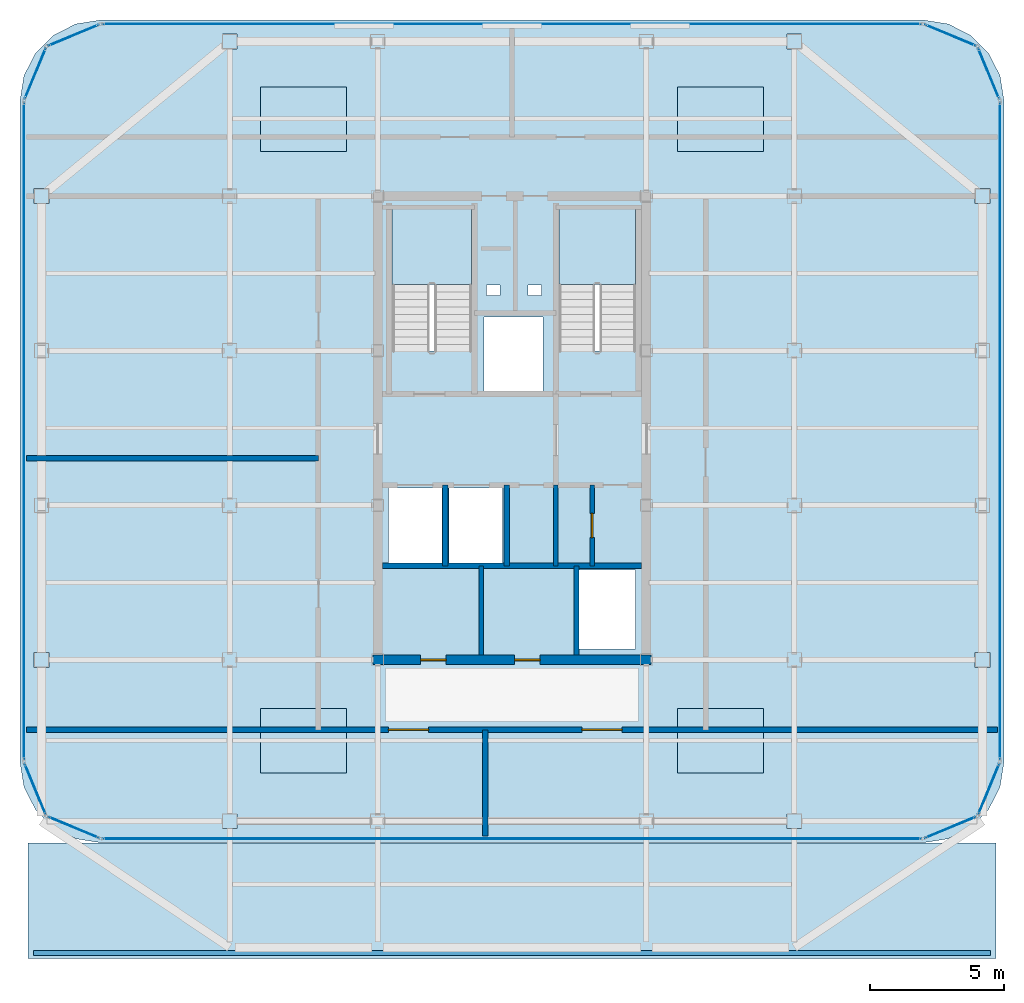
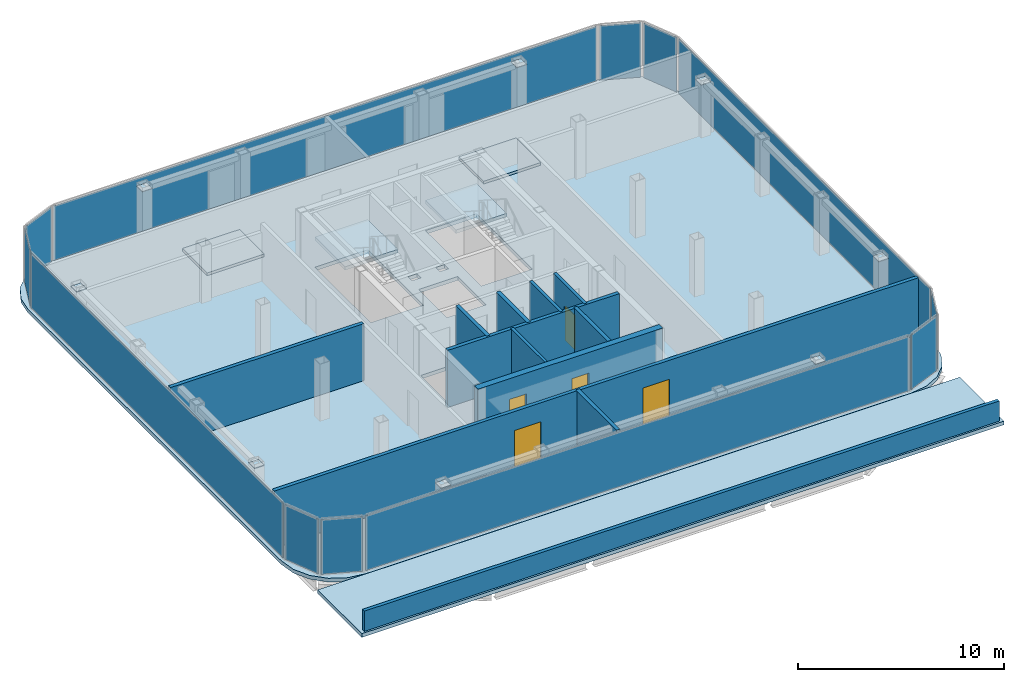
# One storey, part 12 of 15: 20 plates, 12 walls, 8 slabs, 5 doors, 5 openings, 14 elements without a shape of their own.
"""IFC4 building model written with IfcOpenShell, lengths in metres."""

import ifcopenshell
import ifcopenshell.guid

model = None  # the IFC model being written
_history = None  # IfcOwnerHistory: only IFC2X3 demands one
_inside = {}  # id of a spatial element -> (the spatial element, [elements in it])
_under = {}  # id of a project, library or spatial element -> (it, [spatial elements below it])
_declared = {}  # id of a project -> (the project, [libraries it declares])
_typed = {}  # id of a type object -> (the type object, [elements of that type])
_made_of = {}  # id of a material, layer set ... -> (it, [elements and type objects made of it])


def new_model(schema):
    """Start an empty IFC model of exactly this schema.

    Asked for "IFC4X3", IfcOpenShell would pick the latest addendum, in which some entities
    have other attributes; the version numbers below select the first issue.
    IFC2X3 requires an IfcOwnerHistory on every rooted entity: one is made here for all.
    """
    global model, _history
    if schema == "IFC4X3":
        model = ifcopenshell.file(schema_version=(4, 3, 0, 0))
    else:
        model = ifcopenshell.file(schema=schema)
    _inside.clear()
    _under.clear()
    _declared.clear()
    _typed.clear()
    _made_of.clear()
    _history = None
    if model.schema == "IFC2X3":
        org = make("IfcOrganization", Name="unknown")
        user = make(
            "IfcPersonAndOrganization",
            ThePerson=make("IfcPerson", FamilyName="unknown"),
            TheOrganization=org,
        )
        app = make(
            "IfcApplication",
            ApplicationDeveloper=org,
            Version="unknown",
            ApplicationFullName="unknown",
            ApplicationIdentifier="unknown",
        )
        _history = make(
            "IfcOwnerHistory",
            OwningUser=user,
            OwningApplication=app,
            ChangeAction="ADDED",
            CreationDate=0,
        )
    return model


def make(cls, **values):
    """One entity of the class cls with the attributes given. An attribute that is None is left unset."""
    return model.create_entity(
        cls, **{name: value for name, value in values.items() if value is not None}
    )


def rooted(cls, **values):
    """An entity with a GlobalId (a new one), such as an element, a storey or a relation."""
    return make(cls, GlobalId=ifcopenshell.guid.new(), OwnerHistory=_history, **values)


def si_unit(unit_type, name, prefix=None):
    """IfcSIUnit, for example si_unit("LENGTHUNIT", "METRE", prefix="MILLI")."""
    return make("IfcSIUnit", UnitType=unit_type, Prefix=prefix, Name=name)


def assignment(units):
    """IfcUnitAssignment: the units of a project."""
    return None if units is None else make("IfcUnitAssignment", Units=units)


def point(xyz):
    """IfcCartesianPoint."""
    return None if xyz is None else make("IfcCartesianPoint", Coordinates=xyz)


def direction(xyz):
    """IfcDirection."""
    return None if xyz is None else make("IfcDirection", DirectionRatios=xyz)


def frame(location, z_axis=None, x_axis=None):
    """IfcAxis2Placement3D, a coordinate frame: its origin and axes. An axis left out is left unset."""
    return make(
        "IfcAxis2Placement3D",
        Location=point(location),
        Axis=direction(z_axis),
        RefDirection=direction(x_axis),
    )


def frame_2d(location, x_axis=None):
    """IfcAxis2Placement2D, a coordinate frame in the plane: its origin and x axis."""
    return make(
        "IfcAxis2Placement2D", Location=point(location), RefDirection=direction(x_axis)
    )


def origin():
    """The frame at (0, 0, 0) with its axes left unset."""
    return frame((0.0, 0.0, 0.0))


def origin_2d():
    """The frame at (0, 0) in the plane with its x axis left unset."""
    return frame_2d((0.0, 0.0))


def place(relative_to, where):
    """IfcLocalPlacement: puts the frame where relative to a parent placement (None: the world)."""
    return make(
        "IfcLocalPlacement", PlacementRelTo=relative_to, RelativePlacement=where
    )


def context(
    kind, dimensions, precision=None, world=None, true_north=None, identifier=None
):
    """IfcGeometricRepresentationContext, for example the 3D "Model" context."""
    return make(
        "IfcGeometricRepresentationContext",
        ContextIdentifier=identifier,
        ContextType=kind,
        CoordinateSpaceDimension=dimensions,
        Precision=precision,
        WorldCoordinateSystem=world,
        TrueNorth=true_north,
    )


def subcontext(parent, identifier, kind, view, scale=None):
    """IfcGeometricRepresentationSubContext, for example "Body" below "Model"."""
    return make(
        "IfcGeometricRepresentationSubContext",
        ContextIdentifier=identifier,
        ContextType=kind,
        ParentContext=parent,
        TargetScale=scale,
        TargetView=view,
    )


def project(units=None, contexts=None):
    """IfcProject with its units and contexts."""
    return rooted(
        "IfcProject",
        Name="project",
        RepresentationContexts=contexts,
        UnitsInContext=assignment(units),
    )


def spatial(cls, under=None, at=None, **own):
    """A site, building, storey or space (cls), placed at a placement, below another one or the project."""
    s = rooted(cls, ObjectPlacement=at, **own)
    if under is not None:
        _under.setdefault(under.id(), (under, []))[1].append(s)
    return s


def polyline(points):
    """IfcPolyline through the points."""
    return make("IfcPolyline", Points=[point(p) for p in points])


def profile(cls, at=None, kind="AREA", **sizes):
    """A parametric profile (cls). Its sizes go by their IFC names, for example OverallWidth=200.0."""
    return make(cls, ProfileType=kind, Position=at, **sizes)


def rectangle(**sizes):
    """IfcRectangleProfileDef."""
    return profile("IfcRectangleProfileDef", **sizes)


def outline(outer, holes=None, kind="AREA"):
    """IfcArbitraryClosedProfileDef: a profile drawn as a closed curve; with holes, ...WithVoids."""
    if holes is None:
        return make("IfcArbitraryClosedProfileDef", ProfileType=kind, OuterCurve=outer)
    return make(
        "IfcArbitraryProfileDefWithVoids",
        ProfileType=kind,
        OuterCurve=outer,
        InnerCurves=holes,
    )


def extrude(swept, where, along, depth):
    """IfcExtrudedAreaSolid: the profile swept, set in the frame where, extruded along a direction by depth."""
    return make(
        "IfcExtrudedAreaSolid",
        SweptArea=swept,
        Position=where,
        ExtrudedDirection=direction(along),
        Depth=depth,
    )


def shape(context_of_items, identifier, shape_type, items):
    """IfcShapeRepresentation: the items that make up one representation, for example the "Body"."""
    return make(
        "IfcShapeRepresentation",
        ContextOfItems=context_of_items,
        RepresentationIdentifier=identifier,
        RepresentationType=shape_type,
        Items=items,
    )


def source(mapping_origin, context_of_items, identifier, shape_type, items):
    """IfcRepresentationMap: a shape defined once, which mapped items show again and again."""
    return make(
        "IfcRepresentationMap",
        MappingOrigin=mapping_origin,
        MappedRepresentation=shape(context_of_items, identifier, shape_type, items),
    )


def transform(
    local_origin,
    x_axis=None,
    y_axis=None,
    z_axis=None,
    scale=None,
    scale2=None,
    scale3=None,
    uniform=True,
):
    """IfcCartesianTransformationOperator3D, or its non-uniform kind. x_axis, y_axis, z_axis: its Axis1, 2, 3."""
    if uniform:
        return make(
            "IfcCartesianTransformationOperator3D",
            Axis1=direction(x_axis),
            Axis2=direction(y_axis),
            LocalOrigin=point(local_origin),
            Scale=scale,
            Axis3=direction(z_axis),
        )
    return make(
        "IfcCartesianTransformationOperator3DnonUniform",
        Axis1=direction(x_axis),
        Axis2=direction(y_axis),
        LocalOrigin=point(local_origin),
        Scale=scale,
        Axis3=direction(z_axis),
        Scale2=scale2,
        Scale3=scale3,
    )


def mapped(mapping_source, mapping_target):
    """IfcMappedItem: shows the shape of a source again, moved by a transform."""
    return make(
        "IfcMappedItem", MappingSource=mapping_source, MappingTarget=mapping_target
    )


def material(Name=None, Category=None):
    """IfcMaterial."""
    return make("IfcMaterial", Name=Name, Category=Category)


def layer(
    of_material, thickness, ventilated=None, Name=None, Category=None, Priority=None
):
    """IfcMaterialLayer: one layer of a wall or slab, of a material (None: an air gap)."""
    return make(
        "IfcMaterialLayer",
        Material=of_material,
        LayerThickness=thickness,
        IsVentilated=ventilated,
        Name=Name,
        Category=Category,
        Priority=Priority,
    )


def layer_set(layers, Name=None):
    """IfcMaterialLayerSet."""
    return make("IfcMaterialLayerSet", MaterialLayers=layers, LayerSetName=Name)


def made_of(thing, what):
    """Note that an element or type object is made of a material, layer set ...; save() writes the relation."""
    if what is not None:
        _made_of.setdefault(what.id(), (what, []))[1].append(thing)
    return thing


def type_object(cls, material=None, **own):
    """A type object (cls), such as IfcWallType, which elements share."""
    return made_of(rooted(cls, **own), material)


def element(
    cls,
    number,
    at=None,
    inside=None,
    cuts=None,
    type_object=None,
    material=None,
    context=None,
    identifier="Body",
    shape_type=None,
    held_by="IfcProductDefinitionShape",
    body=None,
    shapes=None,
    **own,
):
    """One element of the class cls, such as IfcWall. Its Tag is "e" and its number.

    at: its placement. inside: the storey or other place that contains it. cuts: it is an
    opening in that element (IfcRelVoidsElement). A single representation is given by context,
    identifier, shape_type and body (its items); several are given by shapes. held_by: the class
    of the entity that holds the representations. save() writes the other relations.
    """
    e = rooted(cls, Tag="e%d" % number, ObjectPlacement=at, **own)
    if body is not None:
        shapes = [shape(context, identifier, shape_type, body)]
    if shapes is not None:
        e.Representation = make(held_by, Representations=shapes)
    if inside is not None:
        _inside.setdefault(inside.id(), (inside, []))[1].append(e)
    if cuts is not None:
        rooted(
            "IfcRelVoidsElement", RelatingBuildingElement=cuts, RelatedOpeningElement=e
        )
    if type_object is not None:
        _typed.setdefault(type_object.id(), (type_object, []))[1].append(e)
    return made_of(e, material)


def fill(opening, filler):
    """IfcRelFillsElement: the door or window that sits in an opening."""
    return rooted(
        "IfcRelFillsElement",
        RelatingOpeningElement=opening,
        RelatedBuildingElement=filler,
    )


def aggregate(whole, parts):
    """IfcRelAggregates: a whole, such as a stair, and the parts it consists of."""
    return rooted("IfcRelAggregates", RelatingObject=whole, RelatedObjects=parts)


def save(model, path):
    """Write the relations noted so far, then the file.

    IfcRelAggregates (storeys below a building ...), IfcRelContainedInSpatialStructure (elements
    in a storey), IfcRelDefinesByType, IfcRelAssociatesMaterial and IfcRelDeclares: one each for
    every whole, place, type object, material and project.
    """
    for whole, parts in _under.values():
        aggregate(whole, parts)
    for where, things in _inside.values():
        rooted(
            "IfcRelContainedInSpatialStructure",
            RelatedElements=things,
            RelatingStructure=where,
        )
    for kind, things in _typed.values():
        rooted("IfcRelDefinesByType", RelatedObjects=things, RelatingType=kind)
    for what, things in _made_of.values():
        rooted("IfcRelAssociatesMaterial", RelatedObjects=things, RelatingMaterial=what)
    for by, libraries in _declared.values():
        rooted("IfcRelDeclares", RelatingContext=by, RelatedDefinitions=libraries)
    model.write(path)


model = new_model("IFC4")

# Units and contexts
model_context = context("Model", 3, precision=1e-05, world=origin(), true_north=direction((0.0, 1.0)))
body_context = subcontext(model_context, "Body", "Model", "MODEL_VIEW")
ifc_project = project(units=[si_unit("LENGTHUNIT", "METRE"), si_unit("AREAUNIT", "SQUARE_METRE"), si_unit("VOLUMEUNIT", "CUBIC_METRE"), si_unit("PLANEANGLEUNIT", "RADIAN"), si_unit("MASSUNIT", "GRAM", prefix="KILO")], contexts=[model_context])

# Site, building, storey
site_placement = place(None, origin())
site = spatial("IfcSite", under=ifc_project, at=site_placement, CompositionType="ELEMENT")
building_placement = place(site_placement, origin())
building = spatial("IfcBuilding", under=site, at=building_placement, Name="Kolveth Station Tower", CompositionType="ELEMENT")
storey_placement = place(building_placement, frame((0.0, 0.0, 271.300048828125)))
storey = spatial("IfcBuildingStorey", under=building, at=storey_placement, Name="L78", CompositionType="ELEMENT", Elevation=271.300048828125)

# Slab
ifc_material_1 = material(Name="Concrete C40/50", Category="concrete")
ifc_layer_1 = layer(ifc_material_1, 0.219970703125)
ifc_layer_set_1 = layer_set([ifc_layer_1], Name="Concrete C40/50")
slab_type_1 = type_object("IfcSlabType", Name="Slab_SF-220", PredefinedType="FLOOR", material=ifc_layer_set_1)
slab_1_placement = place(storey_placement, frame((0.0, 0.0, -0.219970703125)))
element("IfcSlab", 1, at=slab_1_placement, inside=storey, type_object=slab_type_1, Name="L78 Tower Structural Floor Slab", PredefinedType="FLOOR", context=body_context, shape_type="SweptSolid", body=[
    extrude(outline(polyline([(38.800048828125, 4.699951171875), (39.72705078125, 4.8466796875), (40.5634765625, 5.27294921875), (41.22705078125, 5.9365234375), (41.6533203125, 6.77294921875), (41.800048828125, 7.699951171875), (41.800048828125, 32.300048828125), (41.6533203125, 33.22705078125), (41.22705078125, 34.0634765625), (40.5634765625, 34.72705078125), (39.72705078125, 35.1533203125), (38.800048828125, 35.300048828125), (8.199951171875, 35.300048828125), (7.27294921875, 35.1533203125), (6.4365234375, 34.72705078125), (5.77294921875, 34.0634765625), (5.3466796875, 33.22705078125), (5.199951171875, 32.300048828125), (5.199951171875, 7.699951171875), (5.3466796875, 6.77294921875), (5.77294921875, 5.9365234375), (6.4365234375, 5.27294921875), (7.27294921875, 4.8466796875), (8.199951171875, 4.699951171875), (38.800048828125, 4.699951171875)]), holes=[polyline([(19.0400390625, 22.985107421875), (22.0, 22.985107421875), (22.0, 28.39990234375), (19.0400390625, 28.39990234375), (19.0400390625, 22.985107421875)]), polyline([(25.239990234375, 22.985107421875), (28.10009765625, 22.985107421875), (28.10009765625, 28.39990234375), (25.239990234375, 28.39990234375), (25.239990234375, 22.985107421875)]), polyline([(18.89990234375, 15.10009765625), (20.89990234375, 15.10009765625), (20.89990234375, 17.89990234375), (18.89990234375, 17.89990234375), (18.89990234375, 15.10009765625)]), polyline([(21.14990234375, 15.10009765625), (23.14990234375, 15.10009765625), (23.14990234375, 17.89990234375), (21.14990234375, 17.89990234375), (21.14990234375, 15.10009765625)]), polyline([(22.449951171875, 21.5), (24.64990234375, 21.5), (24.64990234375, 24.25), (22.449951171875, 24.25), (22.449951171875, 21.5)]), polyline([(26.0, 11.89990234375), (28.10009765625, 11.89990234375), (28.10009765625, 14.85009765625), (26.0, 14.85009765625), (26.0, 11.89990234375)]), polyline([(22.550048828125, 25.050048828125), (23.050048828125, 25.050048828125), (23.050048828125, 25.449951171875), (22.550048828125, 25.449951171875), (22.550048828125, 25.050048828125)]), polyline([(24.10009765625, 25.050048828125), (24.60009765625, 25.050048828125), (24.60009765625, 25.449951171875), (24.10009765625, 25.449951171875), (24.10009765625, 25.050048828125)])]), origin(), (0.0, 0.0, 1.0), 0.219970703125),
])

# Stair, slab
stair_type_1 = type_object("IfcStairType", Name="Stair_ST2", PredefinedType="HALF_TURN_STAIR", material=ifc_material_1)
stair_1_placement = place(storey_placement, origin())
stair_1 = element("IfcStair", 2, at=stair_1_placement, inside=storey, type_object=stair_type_1, Name="L78 Tower Exit Stair ST2", PredefinedType="HALF_TURN_STAIR")
ifc_layer_2 = layer(ifc_material_1, 0.18994140625)
ifc_layer_set_2 = layer_set([ifc_layer_2], Name="Concrete C40/50")
slab_type_2 = type_object("IfcSlabType", Name="Slab_SL-190", PredefinedType="LANDING", material=ifc_layer_set_2)
slab_2_placement = place(storey_placement, frame((0.0, 0.0, 1.599853515625)))
slab_2 = element("IfcSlab", 3, at=slab_2_placement, type_object=slab_type_2, Name="ST2 landing 1", PredefinedType="LANDING", context=body_context, shape_type="SweptSolid", body=[
    extrude(outline(polyline([(28.10009765625, 25.469970703125), (28.10009765625, 28.39990234375), (25.239990234375, 28.39990234375), (25.239990234375, 25.469970703125), (28.10009765625, 25.469970703125)])), origin(), (0.0, 0.0, 1.0), 0.2001953125),
])
aggregate(stair_1, [slab_2])

stair_type_2 = type_object("IfcStairType", Name="Stair_ST1", PredefinedType="HALF_TURN_STAIR", material=ifc_material_1)
stair_2_placement = place(storey_placement, origin())
stair_2 = element("IfcStair", 4, at=stair_2_placement, inside=storey, type_object=stair_type_2, Name="L78 Tower Exit Stair ST1", PredefinedType="HALF_TURN_STAIR")
ifc_layer_3 = layer(ifc_material_1, 0.205078125)
ifc_layer_set_3 = layer_set([ifc_layer_3], Name="Concrete C40/50")
slab_type_3 = type_object("IfcSlabType", Name="Slab_SL-205", PredefinedType="LANDING", material=ifc_layer_set_3)
slab_3_placement = place(storey_placement, frame((0.0, 0.0, 1.599853515625)))
slab_3 = element("IfcSlab", 5, at=slab_3_placement, type_object=slab_type_3, Name="ST1 landing 1", PredefinedType="LANDING", context=body_context, shape_type="SweptSolid", body=[
    extrude(outline(polyline([(22.0, 25.469970703125), (22.0, 28.39990234375), (19.0400390625, 28.39990234375), (19.0400390625, 25.469970703125), (22.0, 25.469970703125)])), origin(), (0.0, 0.0, 1.0), 0.2001953125),
])
aggregate(stair_2, [slab_3])

# Slab
ifc_layer_4 = layer(ifc_material_1, 0.219970703125)
ifc_layer_set_4 = layer_set([ifc_layer_4], Name="Concrete C40/50")
slab_type_4 = type_object("IfcSlabType", Name="Slab_SR-220", PredefinedType="ROOF", material=ifc_layer_set_4)
slab_4_placement = place(storey_placement, frame((0.0, 0.0, -0.219970703125)))
element("IfcSlab", 6, at=slab_4_placement, inside=storey, type_object=slab_type_4, Name="L78 Crown Step 1 Flat Roof Slab", PredefinedType="ROOF", context=body_context, shape_type="SweptSolid", body=[
    extrude(outline(polyline([(5.5, 0.39990234375), (41.5, 0.39990234375), (41.5, 4.68994140625), (5.5, 4.68994140625), (5.5, 0.39990234375)])), origin(), (0.0, 0.0, 1.0), 0.219970703125),
])

# Plates
ifc_material_2 = material(Name="Steel S355", Category="steel")
ifc_layer_5 = layer(ifc_material_2, 0.028076171875)
ifc_layer_set_5 = layer_set([ifc_layer_5], Name="Steel S355")
plate_type_1 = type_object("IfcPlateType", Name="Plate_CP1", PredefinedType="USERDEFINED", material=ifc_layer_set_5)
shared_shape_1 = source(origin(), body_context, "Body", "SweptSolid", [
    extrude(rectangle(XDim=0.550048828125, YDim=0.550048828125, at=origin_2d()), origin(), (0.0, 0.0, 1.0), 0.028076171875),
])
for number, where, z_axis, x_axis, name in (
    (7, (13.0, 5.5, 3.1357421875), (0.0, 0.0, 1.0), (1.0, 0.0, 0.0), "L78 Crown Chord End Plate 1"),
    (8, (34.0, 5.5, 3.1357421875), (0.0, 0.0, 1.0), (1.0, 0.0, 0.0), "L78 Crown Chord End Plate 2"),
    (9, (13.0, 34.5, 3.1357421875), (0.0, 0.0, 1.0), (1.0, 0.0, 0.0), "L78 Crown Chord End Plate 3"),
    (10, (34.0, 34.5, 3.1357421875), (0.0, 0.0, 1.0), (1.0, 0.0, 0.0), "L78 Crown Chord End Plate 4"),
    (11, (6.0, 11.5, 3.1357421875), (0.0, 0.0, 1.0), (1.0, 0.0, 0.0), "L78 Crown Chord End Plate 5"),
    (12, (6.0, 28.75, 3.1357421875), (0.0, 0.0, 1.0), (1.0, 0.0, 0.0), "L78 Crown Chord End Plate 6"),
    (13, (41.0, 11.5, 3.1357421875), (0.0, 0.0, 1.0), (1.0, 0.0, 0.0), "L78 Crown Chord End Plate 7"),
    (14, (41.0, 28.75, 3.1357421875), (0.0, 0.0, 1.0), (1.0, 0.0, 0.0), "L78 Crown Chord End Plate 8"),
):
    element("IfcPlate", number, at=place(storey_placement, frame(where, z_axis=z_axis, x_axis=x_axis)), inside=storey, type_object=plate_type_1, Name=name, ObjectType="GUSSET_PLATE", PredefinedType="USERDEFINED", context=body_context, shape_type="MappedRepresentation", body=[
        mapped(shared_shape_1, transform((0.0, 0.0, 0.0), x_axis=(1.0, 0.0, 0.0), y_axis=(0.0, 1.0, 0.0), z_axis=(0.0, 0.0, 1.0), scale=1.0)),
    ])

# Slabs
ifc_layer_6 = layer(ifc_material_1, 0.159912109375)
ifc_layer_set_6 = layer_set([ifc_layer_6], Name="Concrete C40/50")
slab_type_5 = type_object("IfcSlabType", Name="Slab_PL-160", PredefinedType="FLOOR", material=ifc_layer_set_6)
shared_shape_2 = source(origin(), body_context, "Body", "SweptSolid", [
    extrude(rectangle(XDim=3.199951171875, YDim=2.39990234375, at=origin_2d()), origin(), (0.0, 0.0, 1.0), 0.159912109375),
])
for number, where, z_axis, x_axis, name in (
    (15, (15.75, 8.5, 0.0), (0.0, 0.0, 1.0), (1.0, 0.0, 0.0), "L78 High-Altitude Plant Plinth 1"),
    (16, (31.25, 8.5, 0.0), (0.0, 0.0, 1.0), (1.0, 0.0, 0.0), "L78 High-Altitude Plant Plinth 2"),
    (17, (15.75, 31.60009765625, 0.0), (0.0, 0.0, 1.0), (1.0, 0.0, 0.0), "L78 High-Altitude Plant Plinth 3"),
    (18, (31.25, 31.60009765625, 0.0), (0.0, 0.0, 1.0), (1.0, 0.0, 0.0), "L78 High-Altitude Plant Plinth 4"),
):
    element("IfcSlab", number, at=place(storey_placement, frame(where, z_axis=z_axis, x_axis=x_axis)), inside=storey, type_object=slab_type_5, Name=name, PredefinedType="FLOOR", context=body_context, shape_type="MappedRepresentation", body=[
        mapped(shared_shape_2, transform((0.0, 0.0, 0.0), x_axis=(1.0, 0.0, 0.0), y_axis=(0.0, 1.0, 0.0), z_axis=(0.0, 0.0, 1.0), scale=1.0)),
    ])

# Curtain wall, plate
ifc_material_3 = material(Name="Black anodized aluminium 6063-T6 and dark crown glass", Category="aluminium")
ifc_layer_7 = layer(ifc_material_3, 0.169921875)
ifc_layer_set_7 = layer_set([ifc_layer_7], Name="Black anodized aluminium 6063-T6 and dark crown glass")
curtain_wall_type = type_object("IfcCurtainWallType", Name="CurtainWall_CW-CR", PredefinedType="NOTDEFINED", material=ifc_layer_set_7)
curtain_wall_1_placement = place(storey_placement, origin())
curtain_wall_1 = element("IfcCurtainWall", 19, at=curtain_wall_1_placement, inside=storey, type_object=curtain_wall_type, Name="L78 Stepped Crown Curtain Wall 1", PredefinedType="NOTDEFINED")
ifc_material_4 = material(Name="Architectural low-E dark glass", Category="glass")
ifc_layer_8 = layer(ifc_material_4, 0.033935546875)
ifc_layer_set_8 = layer_set([ifc_layer_8], Name="Architectural low-E dark glass")
plate_type_2 = type_object("IfcPlateType", Name="Panel_GL-CR", PredefinedType="CURTAIN_PANEL", material=ifc_layer_set_8)
shared_shape_3 = source(origin(), body_context, "Body", "SweptSolid", [
    extrude(rectangle(XDim=2.025390625, YDim=0.033935546875, at=origin_2d()), origin(), (0.0, 0.0, 1.0), 3.23388671875),
])
plate_1_placement = place(storey_placement, frame((39.8076171875, 5.267333984375, 0.072998046875), z_axis=(0.0, 0.0, 1.0), x_axis=(0.923890001426, 0.382658157192, 0.0)))
plate_1 = element("IfcPlate", 20, at=plate_1_placement, type_object=plate_type_2, Name="CW-CR panel 1.1", PredefinedType="CURTAIN_PANEL", context=body_context, shape_type="MappedRepresentation", body=[
    mapped(shared_shape_3, transform((0.0, 0.0, 0.0), x_axis=(1.0, 0.0, 0.0), y_axis=(0.0, 1.0, 0.0), z_axis=(0.0, 0.0, 1.0), scale=1.0)),
])
aggregate(curtain_wall_1, [plate_1])

curtain_wall_2_placement = place(storey_placement, origin())
curtain_wall_2 = element("IfcCurtainWall", 21, at=curtain_wall_2_placement, inside=storey, type_object=curtain_wall_type, Name="L78 Stepped Crown Curtain Wall 2", PredefinedType="NOTDEFINED")
plate_2_placement = place(storey_placement, frame((41.232666015625, 6.6923828125, 0.072998046875), z_axis=(0.0, 0.0, 1.0), x_axis=(0.382658157192, 0.923890001426, 0.0)))
plate_2 = element("IfcPlate", 22, at=plate_2_placement, type_object=plate_type_2, Name="CW-CR panel 1.1", PredefinedType="CURTAIN_PANEL", context=body_context, shape_type="MappedRepresentation", body=[
    mapped(shared_shape_3, transform((0.0, 0.0, 0.0), x_axis=(1.0, 0.0, 0.0), y_axis=(0.0, 1.0, 0.0), z_axis=(0.0, 0.0, 1.0), scale=1.0)),
])
aggregate(curtain_wall_2, [plate_2])

curtain_wall_3_placement = place(storey_placement, origin())
curtain_wall_3 = element("IfcCurtainWall", 23, at=curtain_wall_3_placement, inside=storey, type_object=curtain_wall_type, Name="L78 Stepped Crown Curtain Wall 4", PredefinedType="NOTDEFINED")
plate_3_placement = place(storey_placement, frame((41.232666015625, 33.3076171875, 0.072998046875), z_axis=(0.0, 0.0, 1.0), x_axis=(-0.382658157192, 0.923890001426, 0.0)))
plate_3 = element("IfcPlate", 24, at=plate_3_placement, type_object=plate_type_2, Name="CW-CR panel 1.1", PredefinedType="CURTAIN_PANEL", context=body_context, shape_type="MappedRepresentation", body=[
    mapped(shared_shape_3, transform((0.0, 0.0, 0.0), x_axis=(1.0, 0.0, 0.0), y_axis=(0.0, 1.0, 0.0), z_axis=(0.0, 0.0, 1.0), scale=1.0)),
])
aggregate(curtain_wall_3, [plate_3])

curtain_wall_4_placement = place(storey_placement, origin())
curtain_wall_4 = element("IfcCurtainWall", 25, at=curtain_wall_4_placement, inside=storey, type_object=curtain_wall_type, Name="L78 Stepped Crown Curtain Wall 5", PredefinedType="NOTDEFINED")
plate_4_placement = place(storey_placement, frame((39.8076171875, 34.732666015625, 0.072998046875), z_axis=(0.0, 0.0, 1.0), x_axis=(-0.923890001426, 0.382658157192, 0.0)))
plate_4 = element("IfcPlate", 26, at=plate_4_placement, type_object=plate_type_2, Name="CW-CR panel 1.1", PredefinedType="CURTAIN_PANEL", context=body_context, shape_type="MappedRepresentation", body=[
    mapped(shared_shape_3, transform((0.0, 0.0, 0.0), x_axis=(1.0, 0.0, 0.0), y_axis=(0.0, 1.0, 0.0), z_axis=(0.0, 0.0, 1.0), scale=1.0)),
])
aggregate(curtain_wall_4, [plate_4])

curtain_wall_5_placement = place(storey_placement, origin())
curtain_wall_5 = element("IfcCurtainWall", 27, at=curtain_wall_5_placement, inside=storey, type_object=curtain_wall_type, Name="L78 Stepped Crown Curtain Wall 7", PredefinedType="NOTDEFINED")
plate_5_placement = place(storey_placement, frame((7.1923828125, 34.732666015625, 0.072998046875), z_axis=(0.0, 0.0, 1.0), x_axis=(-0.923890001426, -0.382658157192, 0.0)))
plate_5 = element("IfcPlate", 28, at=plate_5_placement, type_object=plate_type_2, Name="CW-CR panel 1.1", PredefinedType="CURTAIN_PANEL", context=body_context, shape_type="MappedRepresentation", body=[
    mapped(shared_shape_3, transform((0.0, 0.0, 0.0), x_axis=(1.0, 0.0, 0.0), y_axis=(0.0, 1.0, 0.0), z_axis=(0.0, 0.0, 1.0), scale=1.0)),
])
aggregate(curtain_wall_5, [plate_5])

curtain_wall_6_placement = place(storey_placement, origin())
curtain_wall_6 = element("IfcCurtainWall", 29, at=curtain_wall_6_placement, inside=storey, type_object=curtain_wall_type, Name="L78 Stepped Crown Curtain Wall 8", PredefinedType="NOTDEFINED")
plate_6_placement = place(storey_placement, frame((5.767333984375, 33.3076171875, 0.072998046875), z_axis=(0.0, 0.0, 1.0), x_axis=(-0.382658157192, -0.923890001426, 0.0)))
plate_6 = element("IfcPlate", 30, at=plate_6_placement, type_object=plate_type_2, Name="CW-CR panel 1.1", PredefinedType="CURTAIN_PANEL", context=body_context, shape_type="MappedRepresentation", body=[
    mapped(shared_shape_3, transform((0.0, 0.0, 0.0), x_axis=(1.0, 0.0, 0.0), y_axis=(0.0, 1.0, 0.0), z_axis=(0.0, 0.0, 1.0), scale=1.0)),
])
aggregate(curtain_wall_6, [plate_6])

curtain_wall_7_placement = place(storey_placement, origin())
curtain_wall_7 = element("IfcCurtainWall", 31, at=curtain_wall_7_placement, inside=storey, type_object=curtain_wall_type, Name="L78 Stepped Crown Curtain Wall 10", PredefinedType="NOTDEFINED")
plate_7_placement = place(storey_placement, frame((5.767333984375, 6.6923828125, 0.072998046875), z_axis=(0.0, 0.0, 1.0), x_axis=(0.382658157192, -0.923890001426, 0.0)))
plate_7 = element("IfcPlate", 32, at=plate_7_placement, type_object=plate_type_2, Name="CW-CR panel 1.1", PredefinedType="CURTAIN_PANEL", context=body_context, shape_type="MappedRepresentation", body=[
    mapped(shared_shape_3, transform((0.0, 0.0, 0.0), x_axis=(1.0, 0.0, 0.0), y_axis=(0.0, 1.0, 0.0), z_axis=(0.0, 0.0, 1.0), scale=1.0)),
])
aggregate(curtain_wall_7, [plate_7])

curtain_wall_8_placement = place(storey_placement, origin())
curtain_wall_8 = element("IfcCurtainWall", 33, at=curtain_wall_8_placement, inside=storey, type_object=curtain_wall_type, Name="L78 Stepped Crown Curtain Wall 11", PredefinedType="NOTDEFINED")
plate_8_placement = place(storey_placement, frame((7.1923828125, 5.267333984375, 0.072998046875), z_axis=(0.0, 0.0, 1.0), x_axis=(0.923890001426, -0.382658157192, 0.0)))
plate_8 = element("IfcPlate", 34, at=plate_8_placement, type_object=plate_type_2, Name="CW-CR panel 1.1", PredefinedType="CURTAIN_PANEL", context=body_context, shape_type="MappedRepresentation", body=[
    mapped(shared_shape_3, transform((0.0, 0.0, 0.0), x_axis=(1.0, 0.0, 0.0), y_axis=(0.0, 1.0, 0.0), z_axis=(0.0, 0.0, 1.0), scale=1.0)),
])
aggregate(curtain_wall_8, [plate_8])

curtain_wall_9_placement = place(storey_placement, origin())
curtain_wall_9 = element("IfcCurtainWall", 35, at=curtain_wall_9_placement, inside=storey, type_object=curtain_wall_type, Name="L78 Stepped Crown Curtain Wall 3", PredefinedType="NOTDEFINED")
shared_shape_4 = source(origin(), body_context, "Body", "SweptSolid", [
    extrude(rectangle(XDim=24.444091796875, YDim=0.033935546875, at=origin_2d()), origin(), (0.0, 0.0, 1.0), 3.23388671875),
])
plate_9_placement = place(storey_placement, frame((41.64990234375, 20.0, 0.072998046875), z_axis=(0.0, 0.0, 1.0), x_axis=(0.0, 1.0, 0.0)))
plate_9 = element("IfcPlate", 36, at=plate_9_placement, type_object=plate_type_2, Name="CW-CR panel 1.1", PredefinedType="CURTAIN_PANEL", context=body_context, shape_type="MappedRepresentation", body=[
    mapped(shared_shape_4, transform((0.0, 0.0, 0.0), x_axis=(1.0, 0.0, 0.0), y_axis=(0.0, 1.0, 0.0), z_axis=(0.0, 0.0, 1.0), scale=1.0)),
])
aggregate(curtain_wall_9, [plate_9])

curtain_wall_10_placement = place(storey_placement, origin())
curtain_wall_10 = element("IfcCurtainWall", 37, at=curtain_wall_10_placement, inside=storey, type_object=curtain_wall_type, Name="L78 Stepped Crown Curtain Wall 9", PredefinedType="NOTDEFINED")
plate_10_placement = place(storey_placement, frame((5.35009765625, 20.0, 0.072998046875), z_axis=(0.0, 0.0, 1.0), x_axis=(0.0, -1.0, 0.0)))
plate_10 = element("IfcPlate", 38, at=plate_10_placement, type_object=plate_type_2, Name="CW-CR panel 1.1", PredefinedType="CURTAIN_PANEL", context=body_context, shape_type="MappedRepresentation", body=[
    mapped(shared_shape_4, transform((0.0, 0.0, 0.0), x_axis=(1.0, 0.0, 0.0), y_axis=(0.0, 1.0, 0.0), z_axis=(0.0, 0.0, 1.0), scale=1.0)),
])
aggregate(curtain_wall_10, [plate_10])

curtain_wall_11_placement = place(storey_placement, origin())
curtain_wall_11 = element("IfcCurtainWall", 39, at=curtain_wall_11_placement, inside=storey, type_object=curtain_wall_type, Name="L78 Stepped Crown Curtain Wall 6", PredefinedType="NOTDEFINED")
shared_shape_5 = source(origin(), body_context, "Body", "SweptSolid", [
    extrude(rectangle(XDim=30.444091796875, YDim=0.033935546875, at=origin_2d()), origin(), (0.0, 0.0, 1.0), 3.23388671875),
])
plate_11_placement = place(storey_placement, frame((23.5, 35.14990234375, 0.072998046875), z_axis=(0.0, 0.0, 1.0), x_axis=(-1.0, 0.0, 0.0)))
plate_11 = element("IfcPlate", 40, at=plate_11_placement, type_object=plate_type_2, Name="CW-CR panel 1.1", PredefinedType="CURTAIN_PANEL", context=body_context, shape_type="MappedRepresentation", body=[
    mapped(shared_shape_5, transform((0.0, 0.0, 0.0), x_axis=(1.0, 0.0, 0.0), y_axis=(0.0, 1.0, 0.0), z_axis=(0.0, 0.0, 1.0), scale=1.0)),
])
aggregate(curtain_wall_11, [plate_11])

curtain_wall_12_placement = place(storey_placement, origin())
curtain_wall_12 = element("IfcCurtainWall", 41, at=curtain_wall_12_placement, inside=storey, type_object=curtain_wall_type, Name="L78 Stepped Crown Curtain Wall 12", PredefinedType="NOTDEFINED")
plate_12_placement = place(storey_placement, frame((23.5, 4.85009765625, 0.072998046875), z_axis=(0.0, 0.0, 1.0), x_axis=(1.0, 0.0, 0.0)))
plate_12 = element("IfcPlate", 42, at=plate_12_placement, type_object=plate_type_2, Name="CW-CR panel 1.1", PredefinedType="CURTAIN_PANEL", context=body_context, shape_type="MappedRepresentation", body=[
    mapped(shared_shape_5, transform((0.0, 0.0, 0.0), x_axis=(1.0, 0.0, 0.0), y_axis=(0.0, 1.0, 0.0), z_axis=(0.0, 0.0, 1.0), scale=1.0)),
])
aggregate(curtain_wall_12, [plate_12])

# Wall, openings, doors
ifc_material_5 = material(Name="Concrete C50/60", Category="concrete")
ifc_layer_9 = layer(ifc_material_5, 0.35009765625)
ifc_layer_set_9 = layer_set([ifc_layer_9], Name="Concrete C50/60")
wall_type_1 = type_object("IfcWallType", Name="Wall_CW-350", PredefinedType="SHEAR", material=ifc_layer_set_9)
wall_1_placement = place(storey_placement, frame((18.324951171875, 11.5, 0.0), z_axis=(0.0, 0.0, 1.0), x_axis=(1.0, 0.0, 0.0)))
wall_1 = element("IfcWall", 43, at=wall_1_placement, inside=storey, type_object=wall_type_1, Name="L78 Core RC Shear Wall S", PredefinedType="SHEAR", context=body_context, shape_type="SweptSolid", body=[
    extrude(rectangle(XDim=10.35009765625, YDim=0.35009765625, at=frame_2d((5.175048828125, 0.0))), origin(), (0.0, 0.0, 1.0), 3.3798828125),
])
opening_1_placement = place(wall_1_placement, frame((1.77490234375, 0.0, 0.0)))
opening_1 = element("IfcOpeningElement", 44, at=opening_1_placement, cuts=wall_1, Name="Opening ID1", PredefinedType="OPENING", context=body_context, shape_type="SweptSolid", body=[
    extrude(rectangle(XDim=0.949951171875, YDim=2.14990234375, at=frame_2d((0.47509765625, 1.074951171875))), frame((0.0, 0.18505859375, 0.0), z_axis=(0.0, -1.0, 0.0), x_axis=(1.0, 0.0, 0.0)), (0.0, 0.0, 1.0), 0.3701171875),
])
opening_2_placement = place(wall_1_placement, frame((5.27490234375, 0.0, 0.0)))
opening_2 = element("IfcOpeningElement", 45, at=opening_2_placement, cuts=wall_1, Name="Opening ID1", PredefinedType="OPENING", context=body_context, shape_type="SweptSolid", body=[
    extrude(rectangle(XDim=0.949951171875, YDim=2.14990234375, at=frame_2d((0.47509765625, 1.074951171875))), frame((0.0, 0.18505859375, 0.0), z_axis=(0.0, -1.0, 0.0), x_axis=(1.0, 0.0, 0.0)), (0.0, 0.0, 1.0), 0.3701171875),
])
ifc_material_6 = material(Name="Acoustic hardwood leaf and aluminium frame", Category="wood")
door_type_1 = type_object("IfcDoorType", Name="Door_ID1", OperationType="NOTDEFINED", PredefinedType="DOOR", material=ifc_material_6)
door_1_placement = place(opening_1_placement, frame((0.949951171875, 0.0, 0.0), z_axis=(0.0, 0.0, 1.0), x_axis=(-1.0, 0.0, 0.0)))
door_1 = element("IfcDoor", 46, at=door_1_placement, inside=storey, type_object=door_type_1, Name="L78 Laundry Room Door", OperationType="SINGLE_SWING_LEFT", OverallHeight=2.14990234375, OverallWidth=0.949951171875, PredefinedType="DOOR", context=body_context, shape_type="SweptSolid", body=[
    extrude(rectangle(XDim=0.949951171875, YDim=2.14990234375, at=frame_2d((0.47509765625, 1.074951171875))), frame((0.0, 0.02490234375, 0.0), z_axis=(0.0, -1.0, 0.0), x_axis=(1.0, 0.0, 0.0)), (0.0, 0.0, 1.0), 0.050048828125),
])
fill(opening_1, door_1)
door_2_placement = place(opening_2_placement, frame((0.949951171875, 0.0, 0.0), z_axis=(0.0, 0.0, 1.0), x_axis=(-1.0, 0.0, 0.0)))
door_2 = element("IfcDoor", 47, at=door_2_placement, inside=storey, type_object=door_type_1, Name="L78 Parcel Room Door", OperationType="SINGLE_SWING_RIGHT", OverallHeight=2.14990234375, OverallWidth=0.949951171875, PredefinedType="DOOR", context=body_context, shape_type="SweptSolid", body=[
    extrude(rectangle(XDim=0.949951171875, YDim=2.14990234375, at=frame_2d((0.47509765625, 1.074951171875))), frame((0.0, 0.02490234375, 0.0), z_axis=(0.0, -1.0, 0.0), x_axis=(1.0, 0.0, 0.0)), (0.0, 0.0, 1.0), 0.050048828125),
])
fill(opening_2, door_2)

# Wall
ifc_material_7 = material(Name="Acoustic double-stud gypsum partition")
ifc_layer_10 = layer(ifc_material_7, 0.1650390625)
ifc_layer_set_10 = layer_set([ifc_layer_10], Name="Acoustic double-stud gypsum partition")
wall_type_2 = type_object("IfcWallType", Name="Wall_IW-165", PredefinedType="PARTITIONING", material=ifc_layer_set_10)
wall_2_placement = place(storey_placement, frame((25.1298828125, 15.0, 0.0), z_axis=(0.0, 0.0, 1.0), x_axis=(0.0, 1.0, 0.0)))
element("IfcWall", 48, at=wall_2_placement, inside=storey, type_object=wall_type_2, Name="L78 Partition Wall WL-L78-CB-V3A", PredefinedType="PARTITIONING", context=body_context, shape_type="SweptSolid", body=[
    extrude(rectangle(XDim=3.0, YDim=0.1650390625, at=frame_2d((1.5, 0.0))), origin(), (0.0, 0.0, 1.0), 3.3798828125),
])

# Wall, opening, door
wall_3_placement = place(storey_placement, frame((26.47998046875, 15.0, 0.0), z_axis=(0.0, 0.0, 1.0), x_axis=(0.0, 1.0, 0.0)))
wall_3 = element("IfcWall", 49, at=wall_3_placement, inside=storey, type_object=wall_type_2, Name="L78 Partition Wall WL-L78-CB-V3B", PredefinedType="PARTITIONING", context=body_context, shape_type="SweptSolid", body=[
    extrude(rectangle(XDim=3.0, YDim=0.1650390625, at=frame_2d((1.5, 0.0))), origin(), (0.0, 0.0, 1.0), 3.3798828125),
])
opening_3_placement = place(wall_3_placement, frame((1.050048828125, 0.0, 0.0)))
opening_3 = element("IfcOpeningElement", 50, at=opening_3_placement, cuts=wall_3, Name="Opening RD1", PredefinedType="OPENING", context=body_context, shape_type="SweptSolid", body=[
    extrude(rectangle(XDim=0.89990234375, YDim=2.050048828125, at=frame_2d((0.449951171875, 1.02490234375))), frame((0.0, 0.092529296875, 0.0), z_axis=(0.0, -1.0, 0.0), x_axis=(1.0, 0.0, 0.0)), (0.0, 0.0, 1.0), 0.18505859375),
])
ifc_material_8 = material(Name="Fire-rated Steel S355 riser access leaf", Category="steel")
door_type_2 = type_object("IfcDoorType", Name="Door_RD1", OperationType="NOTDEFINED", PredefinedType="DOOR", material=ifc_material_8)
door_3_placement = place(opening_3_placement, origin())
door_3 = element("IfcDoor", 51, at=door_3_placement, inside=storey, type_object=door_type_2, Name="L78 Core Meter Closet Door", OperationType="SINGLE_SWING_LEFT", OverallHeight=2.050048828125, OverallWidth=0.89990234375, PredefinedType="DOOR", context=body_context, shape_type="SweptSolid", body=[
    extrude(rectangle(XDim=0.89990234375, YDim=2.050048828125, at=frame_2d((0.449951171875, 1.02490234375))), frame((0.0, 0.02490234375, 0.0), z_axis=(0.0, -1.0, 0.0), x_axis=(1.0, 0.0, 0.0)), (0.0, 0.0, 1.0), 0.050048828125),
])
fill(opening_3, door_3)

# Walls
wall_4_placement = place(storey_placement, frame((22.35009765625, 11.68505859375, 0.0), z_axis=(0.0, 0.0, 1.0), x_axis=(0.0, 1.0, 0.0)))
element("IfcWall", 52, at=wall_4_placement, inside=storey, type_object=wall_type_2, Name="L78 Partition Wall WL-L78-FR-M", PredefinedType="PARTITIONING", context=body_context, shape_type="SweptSolid", body=[
    extrude(rectangle(XDim=3.31494140625, YDim=0.1650390625, at=frame_2d((1.657470703125, 0.0))), origin(), (0.0, 0.0, 1.0), 3.3798828125),
])
ifc_material_9 = material(Name="Acoustic fire-rated gypsum blockwork", Category="masonry")
ifc_layer_11 = layer(ifc_material_9, 0.199951171875)
ifc_layer_set_11 = layer_set([ifc_layer_11], Name="Acoustic fire-rated gypsum blockwork")
wall_type_3 = type_object("IfcWallType", Name="Wall_IW-200", PredefinedType="PARTITIONING", material=ifc_layer_set_11)
for number, where, z_axis, x_axis, name in (
    (53, (21.02001953125, 15.0, 0.0), (0.0, 0.0, 1.0), (0.0, 1.0, 0.0), "L78 Partition Wall WL-L78-FF12"),
    (54, (23.300048828125, 15.0, 0.0), (0.0, 0.0, 1.0), (0.0, 1.0, 0.0), "L78 Partition Wall WL-L78-FF2E"),
):
    element("IfcWall", number, at=place(storey_placement, frame(where, z_axis=z_axis, x_axis=x_axis)), inside=storey, type_object=wall_type_3, Name=name, PredefinedType="PARTITIONING", context=body_context, shape_type="SweptSolid", body=[
        extrude(rectangle(XDim=3.0, YDim=0.199951171875, at=frame_2d((1.5, 0.0))), origin(), (0.0, 0.0, 1.0), 3.3798828125),
    ])
wall_5_placement = place(storey_placement, frame((18.68505859375, 15.0, 0.0), z_axis=(0.0, 0.0, 1.0), x_axis=(1.0, 0.0, 0.0)))
element("IfcWall", 55, at=wall_5_placement, inside=storey, type_object=wall_type_3, Name="L78 Partition Wall WL-L78-BOH-S", PredefinedType="PARTITIONING", context=body_context, shape_type="SweptSolid", body=[
    extrude(rectangle(XDim=9.6298828125, YDim=0.199951171875, at=frame_2d((4.81494140625, 0.0))), origin(), (0.0, 0.0, 1.0), 3.3798828125),
])
wall_6_placement = place(storey_placement, frame((25.89990234375, 11.68505859375, 0.0), z_axis=(0.0, 0.0, 1.0), x_axis=(0.0, 1.0, 0.0)))
element("IfcWall", 56, at=wall_6_placement, inside=storey, type_object=wall_type_3, Name="L78 Partition Wall WL-L78-PMPH", PredefinedType="PARTITIONING", context=body_context, shape_type="SweptSolid", body=[
    extrude(rectangle(XDim=3.31494140625, YDim=0.199951171875, at=frame_2d((1.657470703125, 0.0))), origin(), (0.0, 0.0, 1.0), 3.3798828125),
])

# Wall, openings, doors
wall_7_placement = place(storey_placement, frame((5.449951171875, 8.89990234375, 0.0), z_axis=(0.0, 0.0, 1.0), x_axis=(1.0, 0.0, 0.0)))
wall_7 = element("IfcWall", 57, at=wall_7_placement, inside=storey, type_object=wall_type_3, Name="L78 Partition Wall WL-L78-PR-S", PredefinedType="PARTITIONING", context=body_context, shape_type="SweptSolid", body=[
    extrude(rectangle(XDim=36.10009765625, YDim=0.199951171875, at=frame_2d((18.050048828125, 0.0))), origin(), (0.0, 0.0, 1.0), 3.3798828125),
])
opening_4_placement = place(wall_7_placement, frame((13.449951171875, 0.0, 0.0)))
opening_4 = element("IfcOpeningElement", 58, at=opening_4_placement, cuts=wall_7, Name="Opening FD4", PredefinedType="OPENING", context=body_context, shape_type="SweptSolid", body=[
    extrude(rectangle(XDim=1.5, YDim=2.25, at=frame_2d((0.75, 1.125))), frame((0.0, 0.10986328125, 0.0), z_axis=(0.0, -1.0, 0.0), x_axis=(1.0, 0.0, 0.0)), (0.0, 0.0, 1.0), 0.219970703125),
])
opening_5_placement = place(wall_7_placement, frame((20.64990234375, 0.0, 0.0)))
opening_5 = element("IfcOpeningElement", 59, at=opening_5_placement, cuts=wall_7, Name="Opening FD4", PredefinedType="OPENING", context=body_context, shape_type="SweptSolid", body=[
    extrude(rectangle(XDim=1.5, YDim=2.25, at=frame_2d((0.75, 1.125))), frame((0.0, 0.10986328125, 0.0), z_axis=(0.0, -1.0, 0.0), x_axis=(1.0, 0.0, 0.0)), (0.0, 0.0, 1.0), 0.219970703125),
])
ifc_material_10 = material(Name="Fire-rated double Steel S355 leaf", Category="steel")
door_type_3 = type_object("IfcDoorType", Name="Door_FD4", OperationType="NOTDEFINED", PredefinedType="DOOR", material=ifc_material_10)
door_4_placement = place(opening_4_placement, frame((1.5, 0.0, 0.0), z_axis=(0.0, 0.0, 1.0), x_axis=(-1.0, 0.0, 0.0)))
door_4 = element("IfcDoor", 60, at=door_4_placement, inside=storey, type_object=door_type_3, Name="L78 High-Altitude Chiller Plant Room Door", OperationType="SINGLE_SWING_LEFT", OverallHeight=2.25, OverallWidth=1.5, PredefinedType="DOOR", context=body_context, shape_type="SweptSolid", body=[
    extrude(rectangle(XDim=1.5, YDim=2.25, at=frame_2d((0.75, 1.125))), frame((0.0, 0.02490234375, 0.0), z_axis=(0.0, -1.0, 0.0), x_axis=(1.0, 0.0, 0.0)), (0.0, 0.0, 1.0), 0.050048828125),
])
fill(opening_4, door_4)
door_5_placement = place(opening_5_placement, frame((1.5, 0.0, 0.0), z_axis=(0.0, 0.0, 1.0), x_axis=(-1.0, 0.0, 0.0)))
door_5 = element("IfcDoor", 61, at=door_5_placement, inside=storey, type_object=door_type_3, Name="L78 Standby Generator Plant Room Door", OperationType="SINGLE_SWING_RIGHT", OverallHeight=2.25, OverallWidth=1.5, PredefinedType="DOOR", context=body_context, shape_type="SweptSolid", body=[
    extrude(rectangle(XDim=1.5, YDim=2.25, at=frame_2d((0.75, 1.125))), frame((0.0, 0.02490234375, 0.0), z_axis=(0.0, -1.0, 0.0), x_axis=(1.0, 0.0, 0.0)), (0.0, 0.0, 1.0), 0.050048828125),
])
fill(opening_5, door_5)

# Walls
wall_8_placement = place(storey_placement, frame((22.5, 4.949951171875, 0.0), z_axis=(0.0, 0.0, 1.0), x_axis=(0.0, 1.0, 0.0)))
element("IfcWall", 62, at=wall_8_placement, inside=storey, type_object=wall_type_3, Name="L78 Partition Wall WL-L78-CS-P1", PredefinedType="PARTITIONING", context=body_context, shape_type="SweptSolid", body=[
    extrude(rectangle(XDim=3.949951171875, YDim=0.199951171875, at=frame_2d((1.97509765625, 0.0))), origin(), (0.0, 0.0, 1.0), 3.3798828125),
])
wall_9_placement = place(storey_placement, frame((5.449951171875, 19.0, 0.0), z_axis=(0.0, 0.0, 1.0), x_axis=(1.0, 0.0, 0.0)))
element("IfcWall", 63, at=wall_9_placement, inside=storey, type_object=wall_type_3, Name="L78 Partition Wall WL-L78-CW-P1", PredefinedType="PARTITIONING", context=body_context, shape_type="SweptSolid", body=[
    extrude(rectangle(XDim=10.85009765625, YDim=0.199951171875, at=frame_2d((5.425048828125, 0.0))), origin(), (0.0, 0.0, 1.0), 3.3798828125),
])
ifc_material_11 = material(Name="Precast concrete C40/50", Category="concrete")
ifc_layer_12 = layer(ifc_material_11, 0.18994140625)
ifc_layer_set_12 = layer_set([ifc_layer_12], Name="Precast concrete C40/50")
wall_type_4 = type_object("IfcWallType", Name="Wall_PR-190", PredefinedType="PARAPET", material=ifc_layer_set_12)
wall_10_placement = place(storey_placement, frame((5.699951171875, 0.60009765625, 0.0), z_axis=(0.0, 0.0, 1.0), x_axis=(1.0, 0.0, 0.0)))
element("IfcWall", 64, at=wall_10_placement, inside=storey, type_object=wall_type_4, Name="L78 Crown Step 1 Parapet", PredefinedType="PARAPET", context=body_context, shape_type="SweptSolid", body=[
    extrude(rectangle(XDim=35.60009765625, YDim=0.18994140625, at=frame_2d((17.800048828125, 0.0))), origin(), (0.0, 0.0, 1.0), 1.199951171875),
])

save(model, "model.ifc")
